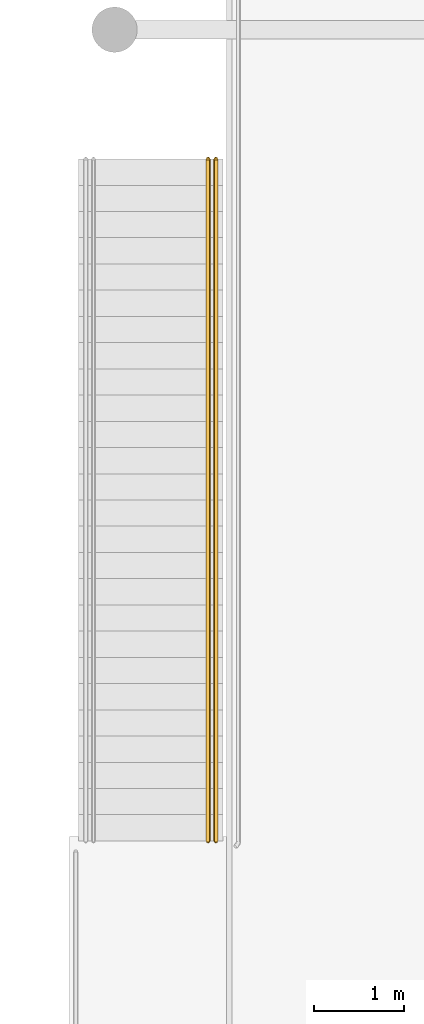
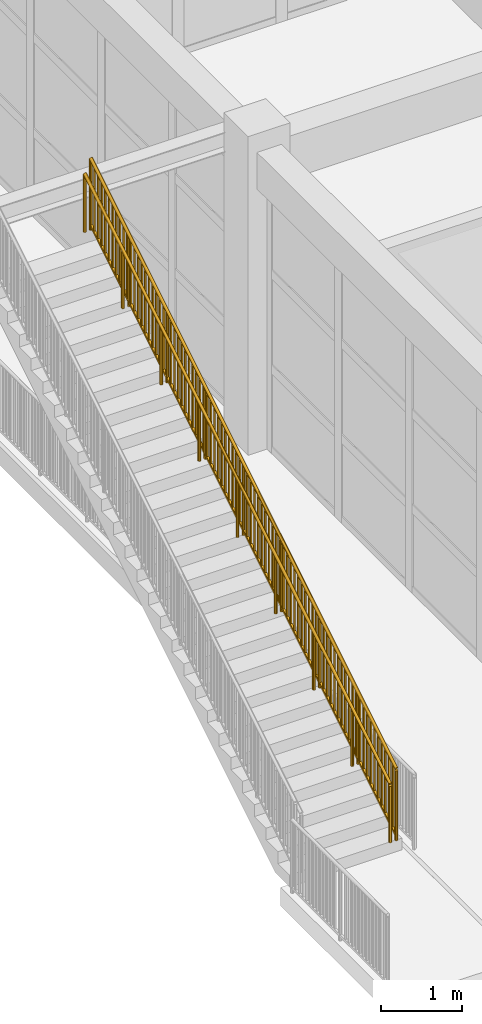
# One storey, part 42 of 50: 2 railings.
"""IFC4 building model written with IfcOpenShell, lengths in metres."""

from ifc_helpers import new_model, si_unit, direction, frame, origin, origin_2d, place, context, subcontext, project, spatial, rectangle, circle, extrude, material, type_object, element, save


model = new_model("IFC4")

# Units and contexts
model_context = context("Model", 3, precision=1e-05, world=origin(), true_north=direction((0.0, 1.0)))
body_context = subcontext(model_context, "Body", "Model", "MODEL_VIEW")
ifc_project = project(units=[si_unit("LENGTHUNIT", "METRE"), si_unit("AREAUNIT", "SQUARE_METRE"), si_unit("VOLUMEUNIT", "CUBIC_METRE"), si_unit("PLANEANGLEUNIT", "RADIAN"), si_unit("MASSUNIT", "GRAM", prefix="KILO")], contexts=[model_context])

# Site, building, storey
site_placement = place(None, origin())
site = spatial("IfcSite", under=ifc_project, at=site_placement, CompositionType="ELEMENT")
building_placement = place(site_placement, origin())
building = spatial("IfcBuilding", under=site, at=building_placement, Name="Zantavel Square City Hall", CompositionType="ELEMENT")
storey_placement = place(building_placement, frame((0.0, 0.0, 18.89990234375)))
storey = spatial("IfcBuildingStorey", under=building, at=storey_placement, Name="L05", CompositionType="ELEMENT", Elevation=18.89990234375)

# Railings
ifc_material_1 = material(Name="Steel ASTM A500 Grade B", Category="steel")
railing_type_1 = type_object("IfcRailingType", Name="Classical Stone & Steel Terrace Balustrade 1100mm", PredefinedType="BALUSTRADE", material=ifc_material_1)
railing_1_placement = place(storey_placement, frame((53.02001953125, 52.199951171875, 0.177978515625)))
element("IfcRailing", 1, at=railing_1_placement, inside=storey, type_object=railing_type_1, Name="Outdoor Stair ST-TR6 Balustered Guard R", PredefinedType="BALUSTRADE", context=body_context, shape_type="SweptSolid", body=[
    extrude(circle(Radius=0.02392578125, at=origin_2d()), frame((0.0, 0.0, 1.076171875), z_axis=(0.0, 0.852563162301, 0.522624199867), x_axis=(-1.0, 0.0, 0.0)), (0.0, 0.0, 1.0), 8.843994140625),
    extrude(rectangle(XDim=0.031982421875, YDim=0.031982421875, at=origin_2d()), frame((0.0, 0.0, 0.080078125), z_axis=(0.0, 0.852563162301, 0.522624199867), x_axis=(-1.0, 0.0, 0.0)), (0.0, 0.0, 1.0), 8.843994140625),
    extrude(rectangle(XDim=0.02197265625, YDim=0.02197265625, at=origin_2d()), frame((0.0, 0.08984375, 0.135009765625)), (0.0, 0.0, 1.0), 0.971923828125),
    extrude(rectangle(XDim=0.02197265625, YDim=0.02197265625, at=origin_2d()), frame((0.0, 0.179443359375, 0.18994140625)), (0.0, 0.0, 1.0), 0.971923828125),
    extrude(rectangle(XDim=0.02197265625, YDim=0.02197265625, at=origin_2d()), frame((0.0, 0.269287109375, 0.2451171875)), (0.0, 0.0, 1.0), 0.971923828125),
    extrude(rectangle(XDim=0.02197265625, YDim=0.02197265625, at=origin_2d()), frame((0.0, 0.359130859375, 0.300048828125)), (0.0, 0.0, 1.0), 0.971923828125),
    extrude(rectangle(XDim=0.02197265625, YDim=0.02197265625, at=origin_2d()), frame((0.0, 0.44873046875, 0.355224609375)), (0.0, 0.0, 1.0), 0.971923828125),
    extrude(rectangle(XDim=0.02197265625, YDim=0.02197265625, at=origin_2d()), frame((0.0, 0.53857421875, 0.41015625)), (0.0, 0.0, 1.0), 0.971923828125),
    extrude(rectangle(XDim=0.02197265625, YDim=0.02197265625, at=origin_2d()), frame((0.0, 0.62841796875, 0.465087890625)), (0.0, 0.0, 1.0), 0.971923828125),
    extrude(rectangle(XDim=0.02197265625, YDim=0.02197265625, at=origin_2d()), frame((0.0, 0.718017578125, 0.520263671875)), (0.0, 0.0, 1.0), 0.971923828125),
    extrude(rectangle(XDim=0.02197265625, YDim=0.02197265625, at=origin_2d()), frame((0.0, 0.807861328125, 0.5751953125)), (0.0, 0.0, 1.0), 0.971923828125),
    extrude(rectangle(XDim=0.02197265625, YDim=0.02197265625, at=origin_2d()), frame((0.0, 0.897705078125, 0.630126953125)), (0.0, 0.0, 1.0), 0.971923828125),
    extrude(rectangle(XDim=0.02197265625, YDim=0.02197265625, at=origin_2d()), frame((0.0, 0.9873046875, 0.685302734375)), (0.0, 0.0, 1.0), 0.971923828125),
    extrude(rectangle(XDim=0.02197265625, YDim=0.02197265625, at=origin_2d()), frame((0.0, 1.0771484375, 0.740234375)), (0.0, 0.0, 1.0), 0.971923828125),
    extrude(rectangle(XDim=0.02197265625, YDim=0.02197265625, at=origin_2d()), frame((0.0, 1.1669921875, 0.79541015625)), (0.0, 0.0, 1.0), 0.971923828125),
    extrude(rectangle(XDim=0.02197265625, YDim=0.02197265625, at=origin_2d()), frame((0.0, 1.256591796875, 0.850341796875)), (0.0, 0.0, 1.0), 0.971923828125),
    extrude(rectangle(XDim=0.02197265625, YDim=0.02197265625, at=origin_2d()), frame((0.0, 1.346435546875, 0.9052734375)), (0.0, 0.0, 1.0), 0.971923828125),
    extrude(rectangle(XDim=0.02197265625, YDim=0.02197265625, at=origin_2d()), frame((0.0, 1.436279296875, 0.96044921875)), (0.0, 0.0, 1.0), 0.971923828125),
    extrude(rectangle(XDim=0.02197265625, YDim=0.02197265625, at=origin_2d()), frame((0.0, 1.52587890625, 1.015380859375)), (0.0, 0.0, 1.0), 0.971923828125),
    extrude(rectangle(XDim=0.02197265625, YDim=0.02197265625, at=origin_2d()), frame((0.0, 1.61572265625, 1.070556640625)), (0.0, 0.0, 1.0), 0.971923828125),
    extrude(rectangle(XDim=0.02197265625, YDim=0.02197265625, at=origin_2d()), frame((0.0, 1.70556640625, 1.12548828125)), (0.0, 0.0, 1.0), 0.971923828125),
    extrude(rectangle(XDim=0.02197265625, YDim=0.02197265625, at=origin_2d()), frame((0.0, 1.795166015625, 1.180419921875)), (0.0, 0.0, 1.0), 0.971923828125),
    extrude(rectangle(XDim=0.02197265625, YDim=0.02197265625, at=origin_2d()), frame((0.0, 1.974853515625, 1.29052734375)), (0.0, 0.0, 1.0), 0.971923828125),
    extrude(rectangle(XDim=0.02197265625, YDim=0.02197265625, at=origin_2d()), frame((0.0, 2.064453125, 1.345458984375)), (0.0, 0.0, 1.0), 0.971923828125),
    extrude(rectangle(XDim=0.02197265625, YDim=0.02197265625, at=origin_2d()), frame((0.0, 2.154296875, 1.400634765625)), (0.0, 0.0, 1.0), 0.971923828125),
    extrude(rectangle(XDim=0.02197265625, YDim=0.02197265625, at=origin_2d()), frame((0.0, 2.244140625, 1.45556640625)), (0.0, 0.0, 1.0), 0.971923828125),
    extrude(rectangle(XDim=0.02197265625, YDim=0.02197265625, at=origin_2d()), frame((0.0, 2.333740234375, 1.5107421875)), (0.0, 0.0, 1.0), 0.971923828125),
    extrude(rectangle(XDim=0.02197265625, YDim=0.02197265625, at=origin_2d()), frame((0.0, 2.423583984375, 1.565673828125)), (0.0, 0.0, 1.0), 0.971923828125),
    extrude(rectangle(XDim=0.02197265625, YDim=0.02197265625, at=origin_2d()), frame((0.0, 2.513427734375, 1.62060546875)), (0.0, 0.0, 1.0), 0.971923828125),
    extrude(rectangle(XDim=0.02197265625, YDim=0.02197265625, at=origin_2d()), frame((0.0, 2.60302734375, 1.67578125)), (0.0, 0.0, 1.0), 0.971923828125),
    extrude(rectangle(XDim=0.02197265625, YDim=0.02197265625, at=origin_2d()), frame((0.0, 2.69287109375, 1.730712890625)), (0.0, 0.0, 1.0), 0.971923828125),
    extrude(rectangle(XDim=0.02197265625, YDim=0.02197265625, at=origin_2d()), frame((0.0, 2.78271484375, 1.78564453125)), (0.0, 0.0, 1.0), 0.971923828125),
    extrude(rectangle(XDim=0.02197265625, YDim=0.02197265625, at=origin_2d()), frame((0.0, 2.872314453125, 1.8408203125)), (0.0, 0.0, 1.0), 0.971923828125),
    extrude(rectangle(XDim=0.02197265625, YDim=0.02197265625, at=origin_2d()), frame((0.0, 2.962158203125, 1.895751953125)), (0.0, 0.0, 1.0), 0.971923828125),
    extrude(rectangle(XDim=0.02197265625, YDim=0.02197265625, at=origin_2d()), frame((0.0, 3.052001953125, 1.950927734375)), (0.0, 0.0, 1.0), 0.971923828125),
    extrude(rectangle(XDim=0.02197265625, YDim=0.02197265625, at=origin_2d()), frame((0.0, 3.1416015625, 2.005859375)), (0.0, 0.0, 1.0), 0.971923828125),
    extrude(rectangle(XDim=0.02197265625, YDim=0.02197265625, at=origin_2d()), frame((0.0, 3.2314453125, 2.060791015625)), (0.0, 0.0, 1.0), 0.971923828125),
    extrude(rectangle(XDim=0.02197265625, YDim=0.02197265625, at=origin_2d()), frame((0.0, 3.3212890625, 2.115966796875)), (0.0, 0.0, 1.0), 0.971923828125),
    extrude(rectangle(XDim=0.02197265625, YDim=0.02197265625, at=origin_2d()), frame((0.0, 3.410888671875, 2.1708984375)), (0.0, 0.0, 1.0), 0.971923828125),
    extrude(rectangle(XDim=0.02197265625, YDim=0.02197265625, at=origin_2d()), frame((0.0, 3.500732421875, 2.22607421875)), (0.0, 0.0, 1.0), 0.971923828125),
    extrude(rectangle(XDim=0.02197265625, YDim=0.02197265625, at=origin_2d()), frame((0.0, 3.590576171875, 2.281005859375)), (0.0, 0.0, 1.0), 0.971923828125),
    extrude(rectangle(XDim=0.02197265625, YDim=0.02197265625, at=origin_2d()), frame((0.0, 3.68017578125, 2.3359375)), (0.0, 0.0, 1.0), 0.971923828125),
    extrude(rectangle(XDim=0.02197265625, YDim=0.02197265625, at=origin_2d()), frame((0.0, 3.85986328125, 2.446044921875)), (0.0, 0.0, 1.0), 0.971923828125),
    extrude(rectangle(XDim=0.02197265625, YDim=0.02197265625, at=origin_2d()), frame((0.0, 3.949462890625, 2.5009765625)), (0.0, 0.0, 1.0), 0.971923828125),
    extrude(rectangle(XDim=0.02197265625, YDim=0.02197265625, at=origin_2d()), frame((0.0, 4.039306640625, 2.55615234375)), (0.0, 0.0, 1.0), 0.971923828125),
    extrude(rectangle(XDim=0.02197265625, YDim=0.02197265625, at=origin_2d()), frame((0.0, 4.129150390625, 2.611083984375)), (0.0, 0.0, 1.0), 0.971923828125),
    extrude(rectangle(XDim=0.02197265625, YDim=0.02197265625, at=origin_2d()), frame((0.0, 4.21875, 2.666259765625)), (0.0, 0.0, 1.0), 0.971923828125),
    extrude(rectangle(XDim=0.02197265625, YDim=0.02197265625, at=origin_2d()), frame((0.0, 4.30859375, 2.72119140625)), (0.0, 0.0, 1.0), 0.971923828125),
    extrude(rectangle(XDim=0.02197265625, YDim=0.02197265625, at=origin_2d()), frame((0.0, 4.3984375, 2.776123046875)), (0.0, 0.0, 1.0), 0.971923828125),
    extrude(rectangle(XDim=0.02197265625, YDim=0.02197265625, at=origin_2d()), frame((0.0, 4.488037109375, 2.831298828125)), (0.0, 0.0, 1.0), 0.971923828125),
    extrude(rectangle(XDim=0.02197265625, YDim=0.02197265625, at=origin_2d()), frame((0.0, 4.577880859375, 2.88623046875)), (0.0, 0.0, 1.0), 0.971923828125),
    extrude(rectangle(XDim=0.02197265625, YDim=0.02197265625, at=origin_2d()), frame((0.0, 4.667724609375, 2.941162109375)), (0.0, 0.0, 1.0), 0.971923828125),
    extrude(rectangle(XDim=0.02197265625, YDim=0.02197265625, at=origin_2d()), frame((0.0, 4.75732421875, 2.996337890625)), (0.0, 0.0, 1.0), 0.971923828125),
    extrude(rectangle(XDim=0.02197265625, YDim=0.02197265625, at=origin_2d()), frame((0.0, 4.84716796875, 3.05126953125)), (0.0, 0.0, 1.0), 0.971923828125),
    extrude(rectangle(XDim=0.02197265625, YDim=0.02197265625, at=origin_2d()), frame((0.0, 4.93701171875, 3.1064453125)), (0.0, 0.0, 1.0), 0.971923828125),
    extrude(rectangle(XDim=0.02197265625, YDim=0.02197265625, at=origin_2d()), frame((0.0, 5.026611328125, 3.161376953125)), (0.0, 0.0, 1.0), 0.971923828125),
    extrude(rectangle(XDim=0.02197265625, YDim=0.02197265625, at=origin_2d()), frame((0.0, 5.116455078125, 3.21630859375)), (0.0, 0.0, 1.0), 0.971923828125),
    extrude(rectangle(XDim=0.02197265625, YDim=0.02197265625, at=origin_2d()), frame((0.0, 5.206298828125, 3.271484375)), (0.0, 0.0, 1.0), 0.971923828125),
    extrude(rectangle(XDim=0.02197265625, YDim=0.02197265625, at=origin_2d()), frame((0.0, 5.2958984375, 3.326416015625)), (0.0, 0.0, 1.0), 0.971923828125),
    extrude(rectangle(XDim=0.02197265625, YDim=0.02197265625, at=origin_2d()), frame((0.0, 5.3857421875, 3.381591796875)), (0.0, 0.0, 1.0), 0.971923828125),
    extrude(rectangle(XDim=0.02197265625, YDim=0.02197265625, at=origin_2d()), frame((0.0, 5.4755859375, 3.4365234375)), (0.0, 0.0, 1.0), 0.971923828125),
    extrude(rectangle(XDim=0.02197265625, YDim=0.02197265625, at=origin_2d()), frame((0.0, 5.565185546875, 3.491455078125)), (0.0, 0.0, 1.0), 0.971923828125),
    extrude(rectangle(XDim=0.02197265625, YDim=0.02197265625, at=origin_2d()), frame((0.0, 5.744873046875, 3.6015625)), (0.0, 0.0, 1.0), 0.971923828125),
    extrude(rectangle(XDim=0.02197265625, YDim=0.02197265625, at=origin_2d()), frame((0.0, 5.83447265625, 3.656494140625)), (0.0, 0.0, 1.0), 0.971923828125),
    extrude(rectangle(XDim=0.02197265625, YDim=0.02197265625, at=origin_2d()), frame((0.0, 5.92431640625, 3.711669921875)), (0.0, 0.0, 1.0), 0.971923828125),
    extrude(rectangle(XDim=0.02197265625, YDim=0.02197265625, at=origin_2d()), frame((0.0, 6.01416015625, 3.7666015625)), (0.0, 0.0, 1.0), 0.971923828125),
    extrude(rectangle(XDim=0.02197265625, YDim=0.02197265625, at=origin_2d()), frame((0.0, 6.103759765625, 3.82177734375)), (0.0, 0.0, 1.0), 0.971923828125),
    extrude(rectangle(XDim=0.02197265625, YDim=0.02197265625, at=origin_2d()), frame((0.0, 6.193603515625, 3.876708984375)), (0.0, 0.0, 1.0), 0.971923828125),
    extrude(rectangle(XDim=0.02197265625, YDim=0.02197265625, at=origin_2d()), frame((0.0, 6.283447265625, 3.931640625)), (0.0, 0.0, 1.0), 0.971923828125),
    extrude(rectangle(XDim=0.02197265625, YDim=0.02197265625, at=origin_2d()), frame((0.0, 6.373046875, 3.98681640625)), (0.0, 0.0, 1.0), 0.971923828125),
    extrude(rectangle(XDim=0.02197265625, YDim=0.02197265625, at=origin_2d()), frame((0.0, 6.462890625, 4.041748046875)), (0.0, 0.0, 1.0), 0.971923828125),
    extrude(rectangle(XDim=0.02197265625, YDim=0.02197265625, at=origin_2d()), frame((0.0, 6.552734375, 4.0966796875)), (0.0, 0.0, 1.0), 0.971923828125),
    extrude(rectangle(XDim=0.02197265625, YDim=0.02197265625, at=origin_2d()), frame((0.0, 6.642333984375, 4.15185546875)), (0.0, 0.0, 1.0), 0.971923828125),
    extrude(rectangle(XDim=0.02197265625, YDim=0.02197265625, at=origin_2d()), frame((0.0, 6.732177734375, 4.206787109375)), (0.0, 0.0, 1.0), 0.971923828125),
    extrude(rectangle(XDim=0.02197265625, YDim=0.02197265625, at=origin_2d()), frame((0.0, 6.822021484375, 4.261962890625)), (0.0, 0.0, 1.0), 0.971923828125),
    extrude(rectangle(XDim=0.02197265625, YDim=0.02197265625, at=origin_2d()), frame((0.0, 6.91162109375, 4.31689453125)), (0.0, 0.0, 1.0), 0.971923828125),
    extrude(rectangle(XDim=0.02197265625, YDim=0.02197265625, at=origin_2d()), frame((0.0, 7.00146484375, 4.371826171875)), (0.0, 0.0, 1.0), 0.971923828125),
    extrude(rectangle(XDim=0.02197265625, YDim=0.02197265625, at=origin_2d()), frame((0.0, 7.09130859375, 4.427001953125)), (0.0, 0.0, 1.0), 0.971923828125),
    extrude(rectangle(XDim=0.02197265625, YDim=0.02197265625, at=origin_2d()), frame((0.0, 7.180908203125, 4.48193359375)), (0.0, 0.0, 1.0), 0.971923828125),
    extrude(rectangle(XDim=0.02197265625, YDim=0.02197265625, at=origin_2d()), frame((0.0, 7.270751953125, 4.537109375)), (0.0, 0.0, 1.0), 0.971923828125),
    extrude(rectangle(XDim=0.02197265625, YDim=0.02197265625, at=origin_2d()), frame((0.0, 7.360595703125, 4.592041015625)), (0.0, 0.0, 1.0), 0.971923828125),
    extrude(rectangle(XDim=0.02197265625, YDim=0.02197265625, at=origin_2d()), frame((0.0, 7.4501953125, 4.64697265625)), (0.0, 0.0, 1.0), 0.971923828125),
    extrude(circle(Radius=0.02099609375, at=origin_2d()), origin(), (0.0, 0.0, 1.0), 1.052001953125),
    extrude(circle(Radius=0.02099609375, at=origin_2d()), frame((0.0, 0.9423828125, 0.57763671875)), (0.0, 0.0, 1.0), 1.052001953125),
    extrude(circle(Radius=0.02099609375, at=origin_2d()), frame((0.0, 1.885009765625, 1.155517578125)), (0.0, 0.0, 1.0), 1.052001953125),
    extrude(circle(Radius=0.02099609375, at=origin_2d()), frame((0.0, 2.82763671875, 1.7333984375)), (0.0, 0.0, 1.0), 1.052001953125),
    extrude(circle(Radius=0.02099609375, at=origin_2d()), frame((0.0, 3.77001953125, 2.31103515625)), (0.0, 0.0, 1.0), 1.052001953125),
    extrude(circle(Radius=0.02099609375, at=origin_2d()), frame((0.0, 4.71240234375, 2.888671875)), (0.0, 0.0, 1.0), 1.052001953125),
    extrude(circle(Radius=0.02099609375, at=origin_2d()), frame((0.0, 5.655029296875, 3.466552734375)), (0.0, 0.0, 1.0), 1.052001953125),
    extrude(circle(Radius=0.02099609375, at=origin_2d()), frame((0.0, 6.59765625, 4.04443359375)), (0.0, 0.0, 1.0), 1.052001953125),
    extrude(circle(Radius=0.02099609375, at=origin_2d()), frame((0.0, 7.5400390625, 4.6220703125)), (0.0, 0.0, 1.0), 1.052001953125),
])
ifc_material_2 = material(Name="Stainless steel 316", Category="steel")
railing_type_2 = type_object("IfcRailingType", Name="Stair Stainless Steel Handrail 900mm", PredefinedType="HANDRAIL", material=ifc_material_2)
railing_2_placement = place(storey_placement, frame((52.93359375, 52.199951171875, 0.177978515625)))
element("IfcRailing", 2, at=railing_2_placement, inside=storey, type_object=railing_type_2, Name="Outdoor Stair ST-TR6 Handrail R", PredefinedType="HANDRAIL", context=body_context, shape_type="SweptSolid", body=[
    extrude(circle(Radius=0.02392578125, at=origin_2d()), frame((0.0, 0.0, 0.8759765625), z_axis=(0.0, 0.852563162301, 0.522624199867), x_axis=(-1.0, 0.0, 0.0)), (0.0, 0.0, 1.0), 8.843994140625),
    extrude(circle(Radius=0.02099609375, at=origin_2d()), origin(), (0.0, 0.0, 1.0), 0.851806640625),
    extrude(circle(Radius=0.02099609375, at=origin_2d()), frame((0.0, 0.9423828125, 0.57763671875)), (0.0, 0.0, 1.0), 0.851806640625),
    extrude(circle(Radius=0.02099609375, at=origin_2d()), frame((0.0, 1.885009765625, 1.155517578125)), (0.0, 0.0, 1.0), 0.851806640625),
    extrude(circle(Radius=0.02099609375, at=origin_2d()), frame((0.0, 2.82763671875, 1.7333984375)), (0.0, 0.0, 1.0), 0.851806640625),
    extrude(circle(Radius=0.02099609375, at=origin_2d()), frame((0.0, 3.77001953125, 2.31103515625)), (0.0, 0.0, 1.0), 0.851806640625),
    extrude(circle(Radius=0.02099609375, at=origin_2d()), frame((0.0, 4.71240234375, 2.888671875)), (0.0, 0.0, 1.0), 0.851806640625),
    extrude(circle(Radius=0.02099609375, at=origin_2d()), frame((0.0, 5.655029296875, 3.466552734375)), (0.0, 0.0, 1.0), 0.851806640625),
    extrude(circle(Radius=0.02099609375, at=origin_2d()), frame((0.0, 6.59765625, 4.04443359375)), (0.0, 0.0, 1.0), 0.851806640625),
    extrude(circle(Radius=0.02099609375, at=origin_2d()), frame((0.0, 7.5400390625, 4.6220703125)), (0.0, 0.0, 1.0), 0.851806640625),
])

save(model, "model.ifc")
